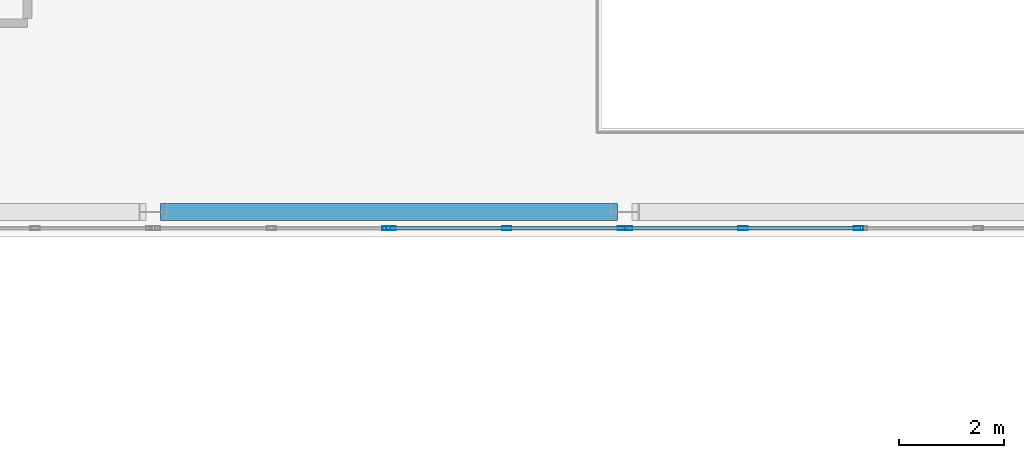
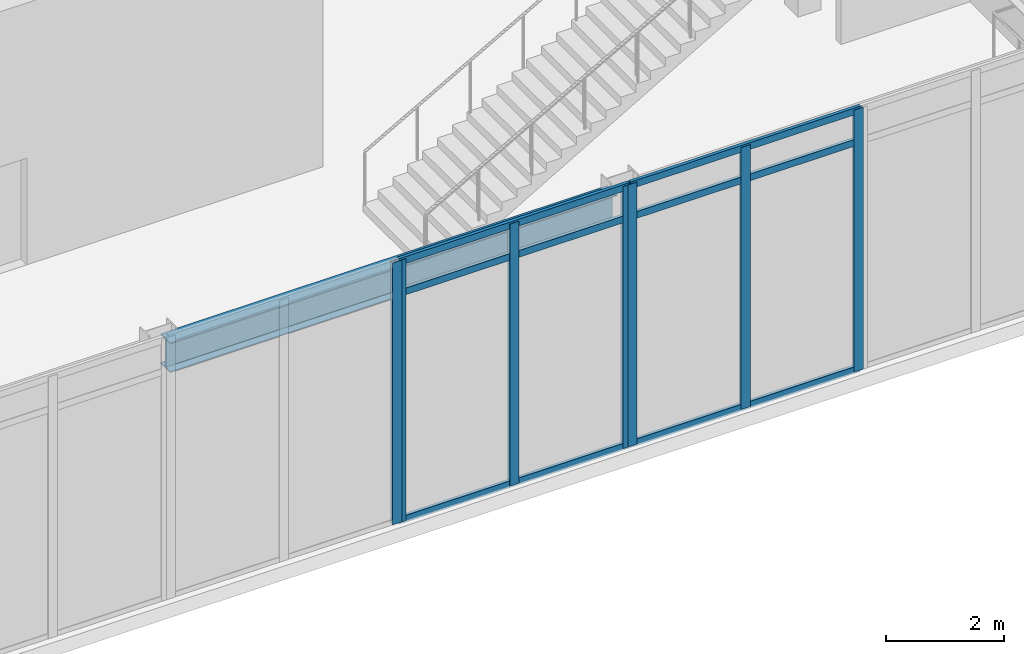
# One storey, part 55 of 98: 13 members, 1 beam, 3 elements without a shape of their own.
"""IFC4 building model written with IfcOpenShell, lengths in metres."""

from ifc_helpers import new_model, si_unit, direction, frame, origin, origin_2d, place, context, subcontext, project, spatial, hollow_rectangle, i_section, extrude, material, layer, layer_set, material_profile, profile_set, type_object, element, aggregate, save


model = new_model("IFC4")

# Units and contexts
model_context = context("Model", 3, precision=1e-05, world=origin(), true_north=direction((0.0, 1.0)))
body_context = subcontext(model_context, "Body", "Model", "MODEL_VIEW")
ifc_project = project(units=[si_unit("LENGTHUNIT", "METRE"), si_unit("AREAUNIT", "SQUARE_METRE"), si_unit("VOLUMEUNIT", "CUBIC_METRE"), si_unit("PLANEANGLEUNIT", "RADIAN"), si_unit("MASSUNIT", "GRAM", prefix="KILO")], contexts=[model_context])

# Site, building, storey
site_placement = place(None, origin())
site = spatial("IfcSite", under=ifc_project, at=site_placement, CompositionType="ELEMENT")
building_placement = place(site_placement, origin())
building = spatial("IfcBuilding", under=site, at=building_placement, Name="Sollismere Congress Hotel", CompositionType="ELEMENT")
storey_placement = place(building_placement, frame((0.0, 0.0, 5.39990234375)))
storey = spatial("IfcBuildingStorey", under=building, at=storey_placement, Name="L01", CompositionType="ELEMENT", Elevation=5.39990234375)

# Beam
ifc_material_1 = material(Name="Steel ASTM A992 Grade 50", Category="steel")
ifc_material_profile_1 = material_profile(ifc_material_1, i_section(OverallWidth=0.324951171875, OverallDepth=0.612060546875, WebThickness=0.0126953125, FlangeThickness=0.01904296875, at=origin_2d()), Name="W24X104")
ifc_profile_set_1 = profile_set([ifc_material_profile_1], Name="Steel ASTM A992 Grade 50")
beam_type = type_object("IfcBeamType", Name="BM-G24", PredefinedType="BEAM", material=ifc_profile_set_1)
beam_placement = place(storey_placement, frame((76.139892578125, 66.800048828125, 4.814208984375), z_axis=(1.0, 0.0, 0.0), x_axis=(0.0, 1.0, 0.0)))
element("IfcBeam", 1, at=beam_placement, inside=storey, type_object=beam_type, Name="Beam BM-L01-1591", PredefinedType="BEAM", context=body_context, shape_type="SweptSolid", body=[
    extrude(i_section(OverallWidth=0.324951171875, OverallDepth=0.612060546875, WebThickness=0.0126953125, FlangeThickness=0.01904296875, at=origin_2d()), origin(), (0.0, 0.0, 1.0), 8.72021484375),
])

# Curtain wall, member
ifc_material_2 = material(Name="Anodized Bronze Curtain Wall & Low-E Triple Glazing", Category="glass")
ifc_layer = layer(ifc_material_2, 0.199951171875, Name="Anodized Bronze Curtain Wall & Low-E Triple Glazing")
ifc_layer_set = layer_set([ifc_layer], Name="Anodized Bronze Curtain Wall & Low-E Triple Glazing")
curtain_wall_type = type_object("IfcCurtainWallType", Name="CW-GLZ36", PredefinedType="USERDEFINED", material=ifc_layer_set)
curtain_wall_1_placement = place(storey_placement, origin())
curtain_wall_1 = element("IfcCurtainWall", 2, at=curtain_wall_1_placement, inside=storey, type_object=curtain_wall_type, Name="Unitised curtain wall CW-L01-091", ObjectType="UNITISED CURTAIN WALL", PredefinedType="USERDEFINED")
ifc_material_3 = material(Name="Anodized Aluminum 6063-T6", Category="aluminium")
ifc_material_profile_2 = material_profile(ifc_material_3, hollow_rectangle(XDim=0.074951171875, YDim=0.179931640625, WallThickness=0.0048828125, at=origin_2d()), Name="ALU180X75X5")
ifc_profile_set_2 = profile_set([ifc_material_profile_2], Name="Anodized Aluminum 6063-T6")
member_type_1 = type_object("IfcMemberType", Name="ML-CW180", PredefinedType="MULLION", material=ifc_profile_set_2)
member_1_placement = place(storey_placement, frame((80.4619140625, 66.489990234375, 0.0), z_axis=(0.0, 0.0, 1.0), x_axis=(0.0, 1.0, 0.0)))
member_1 = element("IfcMember", 3, at=member_1_placement, type_object=member_type_1, Name="CWL-CW-L01-091-ML03", PredefinedType="MULLION", context=body_context, shape_type="SweptSolid", body=[
    extrude(hollow_rectangle(XDim=0.074951171875, YDim=0.179931640625, WallThickness=0.0048828125, at=origin_2d()), origin(), (0.0, 0.0, 1.0), 5.400146484375),
])
aggregate(curtain_wall_1, [member_1])

# Curtain wall, members
curtain_wall_2_placement = place(storey_placement, origin())
curtain_wall_2 = element("IfcCurtainWall", 4, at=curtain_wall_2_placement, inside=storey, type_object=curtain_wall_type, Name="Unitised curtain wall CW-L01-092", ObjectType="UNITISED CURTAIN WALL", PredefinedType="USERDEFINED")
member_2_placement = place(storey_placement, frame((80.5380859375, 66.489990234375, 0.0), z_axis=(0.0, 0.0, 1.0), x_axis=(0.0, 1.0, 0.0)))
member_2 = element("IfcMember", 5, at=member_2_placement, type_object=member_type_1, Name="CWL-CW-L01-092-ML01", PredefinedType="MULLION", context=body_context, shape_type="SweptSolid", body=[
    extrude(hollow_rectangle(XDim=0.074951171875, YDim=0.179931640625, WallThickness=0.0048828125, at=origin_2d()), origin(), (0.0, 0.0, 1.0), 5.400146484375),
])
member_3_placement = place(storey_placement, frame((82.7451171875, 66.489990234375, 0.0), z_axis=(0.0, 0.0, 1.0), x_axis=(0.0, 1.0, 0.0)))
member_3 = element("IfcMember", 6, at=member_3_placement, type_object=member_type_1, Name="CWL-CW-L01-092-ML02", PredefinedType="MULLION", context=body_context, shape_type="SweptSolid", body=[
    extrude(hollow_rectangle(XDim=0.074951171875, YDim=0.179931640625, WallThickness=0.0048828125, at=origin_2d()), origin(), (0.0, 0.0, 1.0), 5.400146484375),
])
member_4_placement = place(storey_placement, frame((84.951904296875, 66.489990234375, 0.0), z_axis=(0.0, 0.0, 1.0), x_axis=(0.0, 1.0, 0.0)))
member_4 = element("IfcMember", 7, at=member_4_placement, type_object=member_type_1, Name="CWL-CW-L01-092-ML03", PredefinedType="MULLION", context=body_context, shape_type="SweptSolid", body=[
    extrude(hollow_rectangle(XDim=0.074951171875, YDim=0.179931640625, WallThickness=0.0048828125, at=origin_2d()), origin(), (0.0, 0.0, 1.0), 5.400146484375),
])

curtain_wall_3_placement = place(storey_placement, origin())
curtain_wall_3 = element("IfcCurtainWall", 8, at=curtain_wall_3_placement, inside=storey, type_object=curtain_wall_type, Name="Unitised curtain wall CW-L01-093", ObjectType="UNITISED CURTAIN WALL", PredefinedType="USERDEFINED")
member_5_placement = place(storey_placement, frame((85.048095703125, 66.489990234375, 0.0), z_axis=(0.0, 0.0, 1.0), x_axis=(0.0, 1.0, 0.0)))
member_5 = element("IfcMember", 9, at=member_5_placement, type_object=member_type_1, Name="CWL-CW-L01-093-ML01", PredefinedType="MULLION", context=body_context, shape_type="SweptSolid", body=[
    extrude(hollow_rectangle(XDim=0.074951171875, YDim=0.179931640625, WallThickness=0.0048828125, at=origin_2d()), origin(), (0.0, 0.0, 1.0), 5.400146484375),
])
member_6_placement = place(storey_placement, frame((87.2548828125, 66.489990234375, 0.0), z_axis=(0.0, 0.0, 1.0), x_axis=(0.0, 1.0, 0.0)))
member_6 = element("IfcMember", 10, at=member_6_placement, type_object=member_type_1, Name="CWL-CW-L01-093-ML02", PredefinedType="MULLION", context=body_context, shape_type="SweptSolid", body=[
    extrude(hollow_rectangle(XDim=0.074951171875, YDim=0.179931640625, WallThickness=0.0048828125, at=origin_2d()), origin(), (0.0, 0.0, 1.0), 5.400146484375),
])
member_7_placement = place(storey_placement, frame((89.4619140625, 66.489990234375, 0.0), z_axis=(0.0, 0.0, 1.0), x_axis=(0.0, 1.0, 0.0)))
member_7 = element("IfcMember", 11, at=member_7_placement, type_object=member_type_1, Name="CWL-CW-L01-093-ML03", PredefinedType="MULLION", context=body_context, shape_type="SweptSolid", body=[
    extrude(hollow_rectangle(XDim=0.074951171875, YDim=0.179931640625, WallThickness=0.0048828125, at=origin_2d()), origin(), (0.0, 0.0, 1.0), 5.400146484375),
])

# Member
ifc_material_profile_3 = material_profile(ifc_material_3, hollow_rectangle(XDim=0.06494140625, YDim=0.139892578125, WallThickness=0.00390625, at=origin_2d()), Name="ALU140X65X4")
ifc_profile_set_3 = profile_set([ifc_material_profile_3], Name="Anodized Aluminum 6063-T6")
member_type_2 = type_object("IfcMemberType", Name="TR-CW150", PredefinedType="MEMBER", material=ifc_profile_set_3)
member_8_placement = place(storey_placement, frame((80.5, 66.489990234375, 0.03271484375), z_axis=(1.0, 0.0, 0.0), x_axis=(0.0, 1.0, 0.0)))
member_8 = element("IfcMember", 12, at=member_8_placement, type_object=member_type_2, Name="CWL-CW-L01-092-TR1", PredefinedType="MEMBER", context=body_context, shape_type="SweptSolid", body=[
    extrude(hollow_rectangle(XDim=0.06494140625, YDim=0.139892578125, WallThickness=0.00390625, at=origin_2d()), origin(), (0.0, 0.0, 1.0), 4.489990234375),
])

member_9_placement = place(storey_placement, frame((80.5, 66.489990234375, 4.72021484375), z_axis=(1.0, 0.0, 0.0), x_axis=(0.0, 1.0, 0.0)))
member_9 = element("IfcMember", 13, at=member_9_placement, type_object=member_type_2, Name="CWL-CW-L01-092-TR2", PredefinedType="MEMBER", context=body_context, shape_type="SweptSolid", body=[
    extrude(hollow_rectangle(XDim=0.06494140625, YDim=0.139892578125, WallThickness=0.00390625, at=origin_2d()), origin(), (0.0, 0.0, 1.0), 4.489990234375),
])

member_10_placement = place(storey_placement, frame((80.5, 66.489990234375, 5.36767578125), z_axis=(1.0, 0.0, 0.0), x_axis=(0.0, 1.0, 0.0)))
member_10 = element("IfcMember", 14, at=member_10_placement, type_object=member_type_2, Name="CWL-CW-L01-092-TR3", PredefinedType="MEMBER", context=body_context, shape_type="SweptSolid", body=[
    extrude(hollow_rectangle(XDim=0.06494140625, YDim=0.139892578125, WallThickness=0.00390625, at=origin_2d()), origin(), (0.0, 0.0, 1.0), 4.489990234375),
])

aggregate(curtain_wall_2, [member_2, member_3, member_4, member_8, member_9, member_10])

member_11_placement = place(storey_placement, frame((85.010009765625, 66.489990234375, 0.03271484375), z_axis=(1.0, 0.0, 0.0), x_axis=(0.0, 1.0, 0.0)))
member_11 = element("IfcMember", 15, at=member_11_placement, type_object=member_type_2, Name="CWL-CW-L01-093-TR1", PredefinedType="MEMBER", context=body_context, shape_type="SweptSolid", body=[
    extrude(hollow_rectangle(XDim=0.06494140625, YDim=0.139892578125, WallThickness=0.00390625, at=origin_2d()), origin(), (0.0, 0.0, 1.0), 4.489990234375),
])

member_12_placement = place(storey_placement, frame((85.010009765625, 66.489990234375, 4.72021484375), z_axis=(1.0, 0.0, 0.0), x_axis=(0.0, 1.0, 0.0)))
member_12 = element("IfcMember", 16, at=member_12_placement, type_object=member_type_2, Name="CWL-CW-L01-093-TR2", PredefinedType="MEMBER", context=body_context, shape_type="SweptSolid", body=[
    extrude(hollow_rectangle(XDim=0.06494140625, YDim=0.139892578125, WallThickness=0.00390625, at=origin_2d()), origin(), (0.0, 0.0, 1.0), 4.489990234375),
])

member_13_placement = place(storey_placement, frame((85.010009765625, 66.489990234375, 5.36767578125), z_axis=(1.0, 0.0, 0.0), x_axis=(0.0, 1.0, 0.0)))
member_13 = element("IfcMember", 17, at=member_13_placement, type_object=member_type_2, Name="CWL-CW-L01-093-TR3", PredefinedType="MEMBER", context=body_context, shape_type="SweptSolid", body=[
    extrude(hollow_rectangle(XDim=0.06494140625, YDim=0.139892578125, WallThickness=0.00390625, at=origin_2d()), origin(), (0.0, 0.0, 1.0), 4.489990234375),
])

aggregate(curtain_wall_3, [member_5, member_6, member_7, member_11, member_12, member_13])

save(model, "model.ifc")
